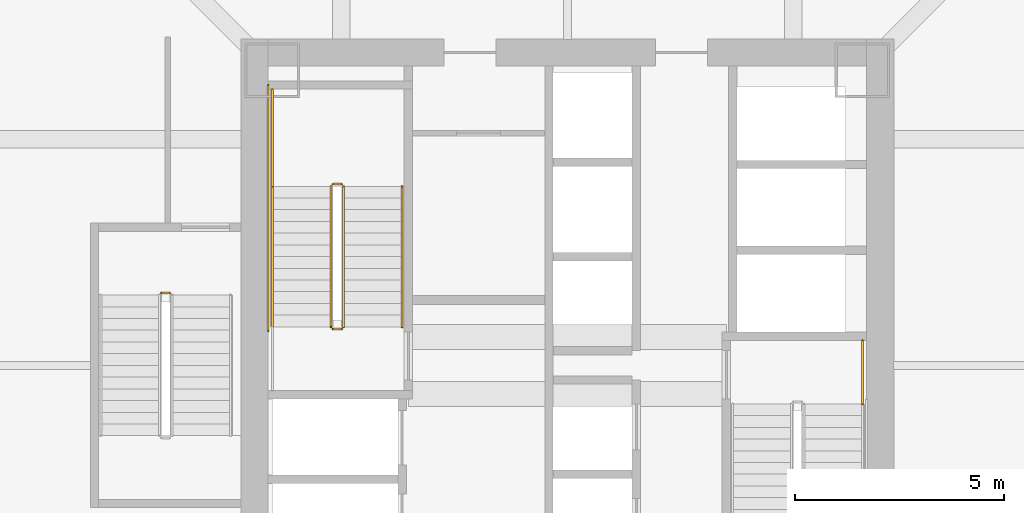
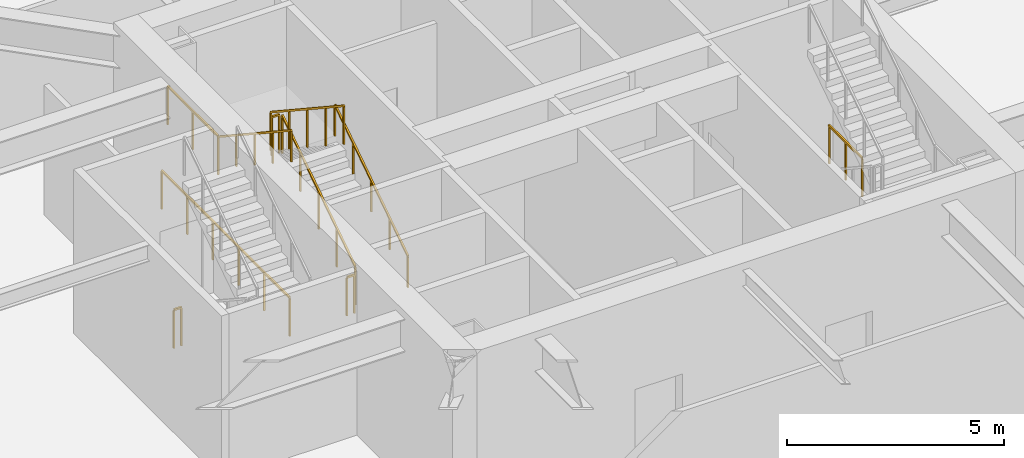
# One storey, part 16 of 21: 10 railings.
"""IFC4 building model written with IfcOpenShell, lengths in metres."""

from ifc_helpers import new_model, si_unit, direction, frame, origin, origin_2d, place, context, subcontext, project, spatial, rectangle, extrude, material, type_object, element, save


model = new_model("IFC4")

# Units and contexts
model_context = context("Model", 3, precision=1e-05, world=origin(), true_north=direction((0.0, 1.0)))
body_context = subcontext(model_context, "Body", "Model", "MODEL_VIEW")
ifc_project = project(units=[si_unit("LENGTHUNIT", "METRE"), si_unit("AREAUNIT", "SQUARE_METRE"), si_unit("VOLUMEUNIT", "CUBIC_METRE"), si_unit("PLANEANGLEUNIT", "RADIAN"), si_unit("MASSUNIT", "GRAM", prefix="KILO")], contexts=[model_context])

# Site, building, storey
site_placement = place(None, origin())
site = spatial("IfcSite", under=ifc_project, at=site_placement, CompositionType="ELEMENT")
building_placement = place(site_placement, origin())
building = spatial("IfcBuilding", under=site, at=building_placement, Name="Tashvorn Skyway Center", CompositionType="ELEMENT")
storey_placement = place(building_placement, frame((0.0, 0.0, 19.800048828125)))
storey = spatial("IfcBuildingStorey", under=building, at=storey_placement, Name="L04", CompositionType="ELEMENT", Elevation=19.800048828125)

# Railings
ifc_material_1 = material(Name="Brushed stainless steel 316", Category="steel")
railing_type_1 = type_object("IfcRailingType", Name="RAIL-HAND-920", PredefinedType="HANDRAIL", material=ifc_material_1)
railing_1_placement = place(storey_placement, frame((38.050048828125, 32.919921875, 0.1845703125)))
element("IfcRailing", 1, at=railing_1_placement, inside=storey, type_object=railing_type_1, Name="L04 ST-T1-1 stair handrail 1", PredefinedType="HANDRAIL", context=body_context, shape_type="SweptSolid", body=[
    extrude(rectangle(XDim=0.048095703125, YDim=0.048095703125, at=origin_2d()), frame((0.0, 0.0, 0.8759765625), z_axis=(0.0, 0.834876476806, 0.550437342915), x_axis=(-1.0, 0.0, 0.0)), (0.0, 0.0, 1.0), 4.024658203125),
    extrude(rectangle(XDim=0.0419921875, YDim=0.0419921875, at=origin_2d()), origin(), (0.0, 0.0, 1.0), 0.851806640625),
    extrude(rectangle(XDim=0.0419921875, YDim=0.0419921875, at=origin_2d()), frame((0.0, 0.840087890625, 0.5537109375)), (0.0, 0.0, 1.0), 0.851806640625),
    extrude(rectangle(XDim=0.0419921875, YDim=0.0419921875, at=origin_2d()), frame((0.0, 1.68017578125, 1.107666015625)), (0.0, 0.0, 1.0), 0.851806640625),
    extrude(rectangle(XDim=0.0419921875, YDim=0.0419921875, at=origin_2d()), frame((0.0, 2.52001953125, 1.66162109375)), (0.0, 0.0, 1.0), 0.851806640625),
    extrude(rectangle(XDim=0.0419921875, YDim=0.0419921875, at=origin_2d()), frame((0.0, 3.360107421875, 2.21533203125)), (0.0, 0.0, 1.0), 0.851806640625),
])
railing_2_placement = place(storey_placement, frame((34.949951171875, 36.280029296875, 2.58447265625)))
element("IfcRailing", 2, at=railing_2_placement, inside=storey, type_object=railing_type_1, Name="L04 ST-T1-1 stair handrail 2", PredefinedType="HANDRAIL", context=body_context, shape_type="SweptSolid", body=[
    extrude(rectangle(XDim=0.048095703125, YDim=0.048095703125, at=origin_2d()), frame((0.0, 0.0, 0.8759765625), z_axis=(0.0, -0.834848600103, 0.550479622607), x_axis=(1.0, 0.0, 0.0)), (0.0, 0.0, 1.0), 4.02490234375),
    extrude(rectangle(XDim=0.0419921875, YDim=0.0419921875, at=origin_2d()), origin(), (0.0, 0.0, 1.0), 0.851806640625),
    extrude(rectangle(XDim=0.0419921875, YDim=0.0419921875, at=origin_2d()), frame((0.0, -0.840087890625, 0.553955078125)), (0.0, 0.0, 1.0), 0.851806640625),
    extrude(rectangle(XDim=0.0419921875, YDim=0.0419921875, at=origin_2d()), frame((0.0, -1.68017578125, 1.10791015625)), (0.0, 0.0, 1.0), 0.851806640625),
    extrude(rectangle(XDim=0.0419921875, YDim=0.0419921875, at=origin_2d()), frame((0.0, -2.52001953125, 1.66162109375)), (0.0, 0.0, 1.0), 0.851806640625),
    extrude(rectangle(XDim=0.0419921875, YDim=0.0419921875, at=origin_2d()), frame((0.0, -3.360107421875, 2.215576171875)), (0.0, 0.0, 1.0), 0.851806640625),
])
ifc_material_2 = material(Name="Painted galvanized steel S355", Category="steel")
railing_type_2 = type_object("IfcRailingType", Name="RAIL-STGUARD-1100", PredefinedType="GUARDRAIL", material=ifc_material_2)
railing_3_placement = place(storey_placement, frame((36.64990234375, 32.919921875, 0.1845703125)))
element("IfcRailing", 3, at=railing_3_placement, inside=storey, type_object=railing_type_2, Name="L04 ST-T1-1 stair guard 1", PredefinedType="GUARDRAIL", context=body_context, shape_type="SweptSolid", body=[
    extrude(rectangle(XDim=0.048095703125, YDim=0.048095703125, at=origin_2d()), frame((0.0, 0.0, 1.076171875), z_axis=(0.0, 0.834876476806, 0.550437342915), x_axis=(-1.0, 0.0, 0.0)), (0.0, 0.0, 1.0), 4.024658203125),
    extrude(rectangle(XDim=0.0419921875, YDim=0.0419921875, at=origin_2d()), origin(), (0.0, 0.0, 1.0), 1.052001953125),
    extrude(rectangle(XDim=0.0419921875, YDim=0.0419921875, at=origin_2d()), frame((0.0, 0.840087890625, 0.5537109375)), (0.0, 0.0, 1.0), 1.052001953125),
    extrude(rectangle(XDim=0.0419921875, YDim=0.0419921875, at=origin_2d()), frame((0.0, 1.68017578125, 1.107666015625)), (0.0, 0.0, 1.0), 1.052001953125),
    extrude(rectangle(XDim=0.0419921875, YDim=0.0419921875, at=origin_2d()), frame((0.0, 2.52001953125, 1.66162109375)), (0.0, 0.0, 1.0), 1.052001953125),
    extrude(rectangle(XDim=0.0419921875, YDim=0.0419921875, at=origin_2d()), frame((0.0, 3.360107421875, 2.21533203125)), (0.0, 0.0, 1.0), 1.052001953125),
])
railing_4_placement = place(storey_placement, frame((36.60009765625, 36.330078125, 2.39990234375)))
element("IfcRailing", 4, at=railing_4_placement, inside=storey, type_object=railing_type_2, Name="L04 ST-T1-1 stair guard 2", PredefinedType="GUARDRAIL", context=body_context, shape_type="SweptSolid", body=[
    extrude(rectangle(XDim=0.048095703125, YDim=0.048095703125, at=origin_2d()), frame((0.0, 0.0, 1.076171875), z_axis=(-1.0, 0.0, 0.0), x_axis=(0.0, -1.0, 0.0)), (0.0, 0.0, 1.0), 0.2001953125),
    extrude(rectangle(XDim=0.0419921875, YDim=0.0419921875, at=origin_2d()), origin(), (0.0, 0.0, 1.0), 1.052001953125),
    extrude(rectangle(XDim=0.0419921875, YDim=0.0419921875, at=origin_2d()), frame((-0.2001953125, 0.0, 0.0)), (0.0, 0.0, 1.0), 1.052001953125),
])
railing_5_placement = place(storey_placement, frame((34.949951171875, 36.280029296875, 2.39990234375)))
element("IfcRailing", 5, at=railing_5_placement, inside=storey, type_object=railing_type_2, Name="L04 ST-T1-1 stair guard 3", PredefinedType="GUARDRAIL", context=body_context, shape_type="SweptSolid", body=[
    extrude(rectangle(XDim=0.048095703125, YDim=0.048095703125, at=origin_2d()), frame((0.0, 0.0, 1.076171875), z_axis=(0.0, 1.0, 0.0), x_axis=(-1.0, 0.0, 0.0)), (0.0, 0.0, 1.0), 2.320068359375),
    extrude(rectangle(XDim=0.0419921875, YDim=0.0419921875, at=origin_2d()), origin(), (0.0, 0.0, 1.0), 1.052001953125),
    extrude(rectangle(XDim=0.0419921875, YDim=0.0419921875, at=origin_2d()), frame((0.0, 1.16015625, 0.0)), (0.0, 0.0, 1.0), 1.052001953125),
    extrude(rectangle(XDim=0.0419921875, YDim=0.0419921875, at=origin_2d()), frame((0.0, 2.320068359375, 0.0)), (0.0, 0.0, 1.0), 1.052001953125),
])
railing_6_placement = place(storey_placement, frame((36.35009765625, 36.280029296875, 2.58447265625)))
element("IfcRailing", 6, at=railing_6_placement, inside=storey, type_object=railing_type_2, Name="L04 ST-T1-1 stair guard 4", PredefinedType="GUARDRAIL", context=body_context, shape_type="SweptSolid", body=[
    extrude(rectangle(XDim=0.048095703125, YDim=0.048095703125, at=origin_2d()), frame((0.0, 0.0, 1.076171875), z_axis=(0.0, -0.834848600103, 0.550479622607), x_axis=(1.0, 0.0, 0.0)), (0.0, 0.0, 1.0), 4.02490234375),
    extrude(rectangle(XDim=0.0419921875, YDim=0.0419921875, at=origin_2d()), origin(), (0.0, 0.0, 1.0), 1.052001953125),
    extrude(rectangle(XDim=0.0419921875, YDim=0.0419921875, at=origin_2d()), frame((0.0, -0.840087890625, 0.553955078125)), (0.0, 0.0, 1.0), 1.052001953125),
    extrude(rectangle(XDim=0.0419921875, YDim=0.0419921875, at=origin_2d()), frame((0.0, -1.68017578125, 1.10791015625)), (0.0, 0.0, 1.0), 1.052001953125),
    extrude(rectangle(XDim=0.0419921875, YDim=0.0419921875, at=origin_2d()), frame((0.0, -2.52001953125, 1.66162109375)), (0.0, 0.0, 1.0), 1.052001953125),
    extrude(rectangle(XDim=0.0419921875, YDim=0.0419921875, at=origin_2d()), frame((0.0, -3.360107421875, 2.215576171875)), (0.0, 0.0, 1.0), 1.052001953125),
])
railing_7_placement = place(storey_placement, frame((36.60009765625, 32.8701171875, 0.0)))
element("IfcRailing", 7, at=railing_7_placement, inside=storey, type_object=railing_type_2, Name="L04 ST-T1-1 stair guard 5", PredefinedType="GUARDRAIL", context=body_context, shape_type="SweptSolid", body=[
    extrude(rectangle(XDim=0.048095703125, YDim=0.048095703125, at=origin_2d()), frame((0.0, 0.0, 1.076171875), z_axis=(-1.0, 0.0, 0.0), x_axis=(0.0, -1.0, 0.0)), (0.0, 0.0, 1.0), 0.2001953125),
    extrude(rectangle(XDim=0.0419921875, YDim=0.0419921875, at=origin_2d()), origin(), (0.0, 0.0, 1.0), 1.052001953125),
    extrude(rectangle(XDim=0.0419921875, YDim=0.0419921875, at=origin_2d()), frame((-0.2001953125, 0.0, 0.0)), (0.0, 0.0, 1.0), 1.052001953125),
])
railing_8_placement = place(storey_placement, frame((34.85009765625, 32.820068359375, 0.0)))
element("IfcRailing", 8, at=railing_8_placement, inside=storey, type_object=railing_type_2, Name="L04 ST-T1-1 stair guard 7", PredefinedType="GUARDRAIL", context=body_context, shape_type="SweptSolid", body=[
    extrude(rectangle(XDim=0.048095703125, YDim=0.048095703125, at=origin_2d()), frame((0.0, 0.0, 1.076171875), z_axis=(0.0, 1.0, 0.0), x_axis=(-1.0, 0.0, 0.0)), (0.0, 0.0, 1.0), 5.8798828125),
    extrude(rectangle(XDim=0.0419921875, YDim=0.0419921875, at=origin_2d()), origin(), (0.0, 0.0, 1.0), 1.052001953125),
    extrude(rectangle(XDim=0.0419921875, YDim=0.0419921875, at=origin_2d()), frame((0.0, 1.176025390625, 0.0)), (0.0, 0.0, 1.0), 1.052001953125),
    extrude(rectangle(XDim=0.0419921875, YDim=0.0419921875, at=origin_2d()), frame((0.0, 2.35205078125, 0.0)), (0.0, 0.0, 1.0), 1.052001953125),
    extrude(rectangle(XDim=0.0419921875, YDim=0.0419921875, at=origin_2d()), frame((0.0, 3.52783203125, 0.0)), (0.0, 0.0, 1.0), 1.052001953125),
    extrude(rectangle(XDim=0.0419921875, YDim=0.0419921875, at=origin_2d()), frame((0.0, 4.703857421875, 0.0)), (0.0, 0.0, 1.0), 1.052001953125),
    extrude(rectangle(XDim=0.0419921875, YDim=0.0419921875, at=origin_2d()), frame((0.0, 5.8798828125, 0.0)), (0.0, 0.0, 1.0), 1.052001953125),
])
railing_9_placement = place(storey_placement, frame((49.050048828125, 32.60009765625, 0.0)))
element("IfcRailing", 9, at=railing_9_placement, inside=storey, type_object=railing_type_2, Name="L04 ST-T1-2 stair guard 6", PredefinedType="GUARDRAIL", context=body_context, shape_type="SweptSolid", body=[
    extrude(rectangle(XDim=0.048095703125, YDim=0.048095703125, at=origin_2d()), frame((0.0, 0.0, 1.076171875), z_axis=(0.0, -1.0, 0.0), x_axis=(1.0, 0.0, 0.0)), (0.0, 0.0, 1.0), 1.52001953125),
    extrude(rectangle(XDim=0.0419921875, YDim=0.0419921875, at=origin_2d()), origin(), (0.0, 0.0, 1.0), 1.052001953125),
    extrude(rectangle(XDim=0.0419921875, YDim=0.0419921875, at=origin_2d()), frame((0.0, -0.760009765625, 0.0)), (0.0, 0.0, 1.0), 1.052001953125),
    extrude(rectangle(XDim=0.0419921875, YDim=0.0419921875, at=origin_2d()), frame((0.0, -1.52001953125, 0.0)), (0.0, 0.0, 1.0), 1.052001953125),
])
railing_10_placement = place(storey_placement, frame((32.300048828125, 33.72998046875, 0.0)))
element("IfcRailing", 10, at=railing_10_placement, inside=storey, type_object=railing_type_2, Name="L04 ST-T1-3 stair guard 4", PredefinedType="GUARDRAIL", context=body_context, shape_type="SweptSolid", body=[
    extrude(rectangle(XDim=0.048095703125, YDim=0.048095703125, at=origin_2d()), frame((0.0, 0.0, 1.076171875), z_axis=(1.0, 0.0, 0.0), x_axis=(0.0, 1.0, 0.0)), (0.0, 0.0, 1.0), 0.199951171875),
    extrude(rectangle(XDim=0.0419921875, YDim=0.0419921875, at=origin_2d()), origin(), (0.0, 0.0, 1.0), 1.052001953125),
    extrude(rectangle(XDim=0.0419921875, YDim=0.0419921875, at=origin_2d()), frame((0.199951171875, 0.0, 0.0)), (0.0, 0.0, 1.0), 1.052001953125),
])

save(model, "model.ifc")
